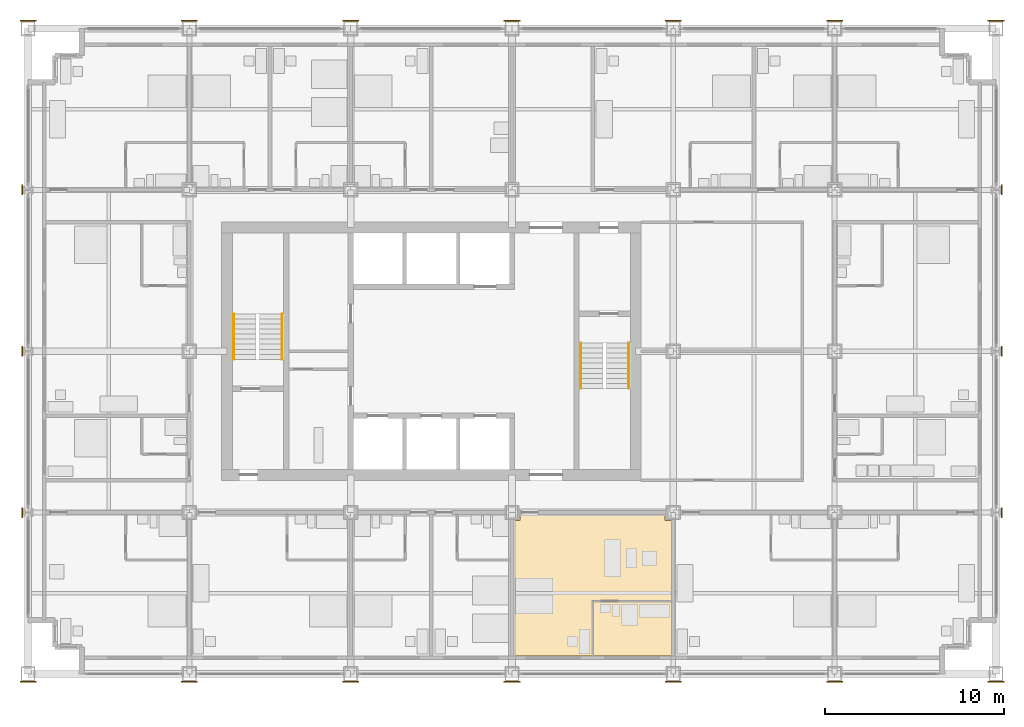
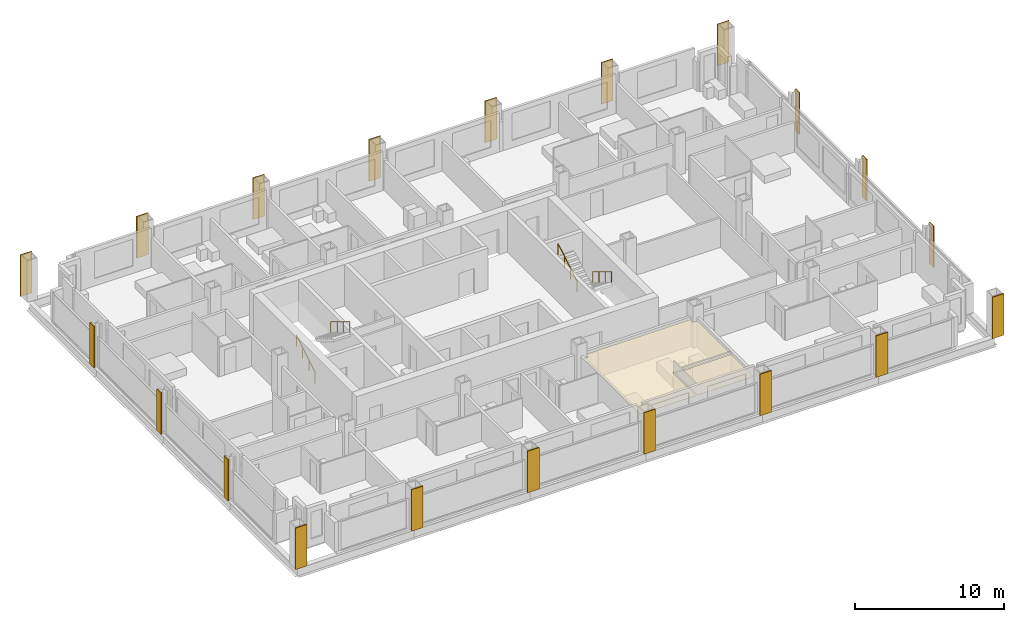
# One storey, part 16 of 18: 22 coverings, 4 railings.
"""IFC4 building model written with IfcOpenShell, lengths in metres."""

import ifcopenshell
import ifcopenshell.guid

model = None  # the IFC model being written
_history = None  # IfcOwnerHistory: only IFC2X3 demands one
_inside = {}  # id of a spatial element -> (the spatial element, [elements in it])
_under = {}  # id of a project, library or spatial element -> (it, [spatial elements below it])
_declared = {}  # id of a project -> (the project, [libraries it declares])
_typed = {}  # id of a type object -> (the type object, [elements of that type])
_made_of = {}  # id of a material, layer set ... -> (it, [elements and type objects made of it])


def new_model(schema):
    """Start an empty IFC model of exactly this schema.

    Asked for "IFC4X3", IfcOpenShell would pick the latest addendum, in which some entities
    have other attributes; the version numbers below select the first issue.
    IFC2X3 requires an IfcOwnerHistory on every rooted entity: one is made here for all.
    """
    global model, _history
    if schema == "IFC4X3":
        model = ifcopenshell.file(schema_version=(4, 3, 0, 0))
    else:
        model = ifcopenshell.file(schema=schema)
    _inside.clear()
    _under.clear()
    _declared.clear()
    _typed.clear()
    _made_of.clear()
    _history = None
    if model.schema == "IFC2X3":
        org = make("IfcOrganization", Name="unknown")
        user = make(
            "IfcPersonAndOrganization",
            ThePerson=make("IfcPerson", FamilyName="unknown"),
            TheOrganization=org,
        )
        app = make(
            "IfcApplication",
            ApplicationDeveloper=org,
            Version="unknown",
            ApplicationFullName="unknown",
            ApplicationIdentifier="unknown",
        )
        _history = make(
            "IfcOwnerHistory",
            OwningUser=user,
            OwningApplication=app,
            ChangeAction="ADDED",
            CreationDate=0,
        )
    return model


def make(cls, **values):
    """One entity of the class cls with the attributes given. An attribute that is None is left unset."""
    return model.create_entity(
        cls, **{name: value for name, value in values.items() if value is not None}
    )


def rooted(cls, **values):
    """An entity with a GlobalId (a new one), such as an element, a storey or a relation."""
    return make(cls, GlobalId=ifcopenshell.guid.new(), OwnerHistory=_history, **values)


def si_unit(unit_type, name, prefix=None):
    """IfcSIUnit, for example si_unit("LENGTHUNIT", "METRE", prefix="MILLI")."""
    return make("IfcSIUnit", UnitType=unit_type, Prefix=prefix, Name=name)


def assignment(units):
    """IfcUnitAssignment: the units of a project."""
    return None if units is None else make("IfcUnitAssignment", Units=units)


def point(xyz):
    """IfcCartesianPoint."""
    return None if xyz is None else make("IfcCartesianPoint", Coordinates=xyz)


def direction(xyz):
    """IfcDirection."""
    return None if xyz is None else make("IfcDirection", DirectionRatios=xyz)


def frame(location, z_axis=None, x_axis=None):
    """IfcAxis2Placement3D, a coordinate frame: its origin and axes. An axis left out is left unset."""
    return make(
        "IfcAxis2Placement3D",
        Location=point(location),
        Axis=direction(z_axis),
        RefDirection=direction(x_axis),
    )


def frame_2d(location, x_axis=None):
    """IfcAxis2Placement2D, a coordinate frame in the plane: its origin and x axis."""
    return make(
        "IfcAxis2Placement2D", Location=point(location), RefDirection=direction(x_axis)
    )


def origin():
    """The frame at (0, 0, 0) with its axes left unset."""
    return frame((0.0, 0.0, 0.0))


def origin_2d():
    """The frame at (0, 0) in the plane with its x axis left unset."""
    return frame_2d((0.0, 0.0))


def place(relative_to, where):
    """IfcLocalPlacement: puts the frame where relative to a parent placement (None: the world)."""
    return make(
        "IfcLocalPlacement", PlacementRelTo=relative_to, RelativePlacement=where
    )


def context(
    kind, dimensions, precision=None, world=None, true_north=None, identifier=None
):
    """IfcGeometricRepresentationContext, for example the 3D "Model" context."""
    return make(
        "IfcGeometricRepresentationContext",
        ContextIdentifier=identifier,
        ContextType=kind,
        CoordinateSpaceDimension=dimensions,
        Precision=precision,
        WorldCoordinateSystem=world,
        TrueNorth=true_north,
    )


def subcontext(parent, identifier, kind, view, scale=None):
    """IfcGeometricRepresentationSubContext, for example "Body" below "Model"."""
    return make(
        "IfcGeometricRepresentationSubContext",
        ContextIdentifier=identifier,
        ContextType=kind,
        ParentContext=parent,
        TargetScale=scale,
        TargetView=view,
    )


def project(units=None, contexts=None):
    """IfcProject with its units and contexts."""
    return rooted(
        "IfcProject",
        Name="project",
        RepresentationContexts=contexts,
        UnitsInContext=assignment(units),
    )


def spatial(cls, under=None, at=None, **own):
    """A site, building, storey or space (cls), placed at a placement, below another one or the project."""
    s = rooted(cls, ObjectPlacement=at, **own)
    if under is not None:
        _under.setdefault(under.id(), (under, []))[1].append(s)
    return s


def polyline(points):
    """IfcPolyline through the points."""
    return make("IfcPolyline", Points=[point(p) for p in points])


def profile(cls, at=None, kind="AREA", **sizes):
    """A parametric profile (cls). Its sizes go by their IFC names, for example OverallWidth=200.0."""
    return make(cls, ProfileType=kind, Position=at, **sizes)


def rectangle(**sizes):
    """IfcRectangleProfileDef."""
    return profile("IfcRectangleProfileDef", **sizes)


def circle(**sizes):
    """IfcCircleProfileDef."""
    return profile("IfcCircleProfileDef", **sizes)


def outline(outer, holes=None, kind="AREA"):
    """IfcArbitraryClosedProfileDef: a profile drawn as a closed curve; with holes, ...WithVoids."""
    if holes is None:
        return make("IfcArbitraryClosedProfileDef", ProfileType=kind, OuterCurve=outer)
    return make(
        "IfcArbitraryProfileDefWithVoids",
        ProfileType=kind,
        OuterCurve=outer,
        InnerCurves=holes,
    )


def extrude(swept, where, along, depth):
    """IfcExtrudedAreaSolid: the profile swept, set in the frame where, extruded along a direction by depth."""
    return make(
        "IfcExtrudedAreaSolid",
        SweptArea=swept,
        Position=where,
        ExtrudedDirection=direction(along),
        Depth=depth,
    )


def shape(context_of_items, identifier, shape_type, items):
    """IfcShapeRepresentation: the items that make up one representation, for example the "Body"."""
    return make(
        "IfcShapeRepresentation",
        ContextOfItems=context_of_items,
        RepresentationIdentifier=identifier,
        RepresentationType=shape_type,
        Items=items,
    )


def material(Name=None, Category=None):
    """IfcMaterial."""
    return make("IfcMaterial", Name=Name, Category=Category)


def layer(
    of_material, thickness, ventilated=None, Name=None, Category=None, Priority=None
):
    """IfcMaterialLayer: one layer of a wall or slab, of a material (None: an air gap)."""
    return make(
        "IfcMaterialLayer",
        Material=of_material,
        LayerThickness=thickness,
        IsVentilated=ventilated,
        Name=Name,
        Category=Category,
        Priority=Priority,
    )


def layer_set(layers, Name=None):
    """IfcMaterialLayerSet."""
    return make("IfcMaterialLayerSet", MaterialLayers=layers, LayerSetName=Name)


def made_of(thing, what):
    """Note that an element or type object is made of a material, layer set ...; save() writes the relation."""
    if what is not None:
        _made_of.setdefault(what.id(), (what, []))[1].append(thing)
    return thing


def type_object(cls, material=None, **own):
    """A type object (cls), such as IfcWallType, which elements share."""
    return made_of(rooted(cls, **own), material)


def element(
    cls,
    number,
    at=None,
    inside=None,
    cuts=None,
    type_object=None,
    material=None,
    context=None,
    identifier="Body",
    shape_type=None,
    held_by="IfcProductDefinitionShape",
    body=None,
    shapes=None,
    **own,
):
    """One element of the class cls, such as IfcWall. Its Tag is "e" and its number.

    at: its placement. inside: the storey or other place that contains it. cuts: it is an
    opening in that element (IfcRelVoidsElement). A single representation is given by context,
    identifier, shape_type and body (its items); several are given by shapes. held_by: the class
    of the entity that holds the representations. save() writes the other relations.
    """
    e = rooted(cls, Tag="e%d" % number, ObjectPlacement=at, **own)
    if body is not None:
        shapes = [shape(context, identifier, shape_type, body)]
    if shapes is not None:
        e.Representation = make(held_by, Representations=shapes)
    if inside is not None:
        _inside.setdefault(inside.id(), (inside, []))[1].append(e)
    if cuts is not None:
        rooted(
            "IfcRelVoidsElement", RelatingBuildingElement=cuts, RelatedOpeningElement=e
        )
    if type_object is not None:
        _typed.setdefault(type_object.id(), (type_object, []))[1].append(e)
    return made_of(e, material)


def aggregate(whole, parts):
    """IfcRelAggregates: a whole, such as a stair, and the parts it consists of."""
    return rooted("IfcRelAggregates", RelatingObject=whole, RelatedObjects=parts)


def save(model, path):
    """Write the relations noted so far, then the file.

    IfcRelAggregates (storeys below a building ...), IfcRelContainedInSpatialStructure (elements
    in a storey), IfcRelDefinesByType, IfcRelAssociatesMaterial and IfcRelDeclares: one each for
    every whole, place, type object, material and project.
    """
    for whole, parts in _under.values():
        aggregate(whole, parts)
    for where, things in _inside.values():
        rooted(
            "IfcRelContainedInSpatialStructure",
            RelatedElements=things,
            RelatingStructure=where,
        )
    for kind, things in _typed.values():
        rooted("IfcRelDefinesByType", RelatedObjects=things, RelatingType=kind)
    for what, things in _made_of.values():
        rooted("IfcRelAssociatesMaterial", RelatedObjects=things, RelatingMaterial=what)
    for by, libraries in _declared.values():
        rooted("IfcRelDeclares", RelatingContext=by, RelatedDefinitions=libraries)
    model.write(path)


model = new_model("IFC4")

# Units and contexts
model_context = context("Model", 3, precision=1e-05, world=origin(), true_north=direction((0.0, 1.0)))
body_context = subcontext(model_context, "Body", "Model", "MODEL_VIEW")
ifc_project = project(units=[si_unit("LENGTHUNIT", "METRE"), si_unit("AREAUNIT", "SQUARE_METRE"), si_unit("VOLUMEUNIT", "CUBIC_METRE"), si_unit("PLANEANGLEUNIT", "RADIAN"), si_unit("MASSUNIT", "GRAM", prefix="KILO")], contexts=[model_context])

# Site, building, storey
site_placement = place(None, origin())
site = spatial("IfcSite", under=ifc_project, at=site_placement, CompositionType="ELEMENT")
building_placement = place(site_placement, origin())
building = spatial("IfcBuilding", under=site, at=building_placement, Name="Loomwork Tower", CompositionType="ELEMENT")
storey_placement = place(building_placement, frame((0.0, 0.0, 65.39990234375)))
storey = spatial("IfcBuildingStorey", under=building, at=storey_placement, Name="L16", CompositionType="ELEMENT", Elevation=65.39990234375)

# Railings
ifc_material_1 = material(Name="Stainless steel handrail", Category="steel")
railing_type = type_object("IfcRailingType", Name="Handrail 900", PredefinedType="HANDRAIL", material=ifc_material_1)
railing_1_placement = place(storey_placement, frame((11.485107421875, 17.550048828125, 0.170166015625)))
element("IfcRailing", 1, at=railing_1_placement, inside=storey, type_object=railing_type, Name="Stair A handrail flight 1 L16", PredefinedType="HANDRAIL", context=body_context, shape_type="SweptSolid", body=[
    extrude(circle(Radius=0.02392578125, at=origin_2d()), frame((0.0, 0.0, 0.8759765625), z_axis=(0.0, 0.85478489116, 0.518982456201), x_axis=(-1.0, 0.0, 0.0)), (0.0, 0.0, 1.0), 2.9482421875),
    extrude(circle(Radius=0.02099609375, at=origin_2d()), origin(), (0.0, 0.0, 1.0), 0.851806640625),
    extrude(circle(Radius=0.02099609375, at=origin_2d()), frame((0.0, 0.840087890625, 0.510009765625)), (0.0, 0.0, 1.0), 0.851806640625),
    extrude(circle(Radius=0.02099609375, at=origin_2d()), frame((0.0, 1.679931640625, 1.02001953125)), (0.0, 0.0, 1.0), 0.851806640625),
    extrude(circle(Radius=0.02099609375, at=origin_2d()), frame((0.0, 2.52001953125, 1.530029296875)), (0.0, 0.0, 1.0), 0.851806640625),
])
for number, where, name in (
    (2, (14.1650390625, 20.070068359375, 1.8701171875), "Stair A handrail flight 2 L16"),
    (3, (33.514892578125, 18.449951171875, 0.170166015625), "Stair B handrail flight 1 L16"),
):
    element("IfcRailing", number, at=place(storey_placement, frame(where)), inside=storey, type_object=railing_type, Name=name, PredefinedType="HANDRAIL", context=body_context, shape_type="SweptSolid", body=[
        extrude(circle(Radius=0.02392578125, at=origin_2d()), frame((0.0, 0.0, 0.8759765625), z_axis=(0.0, -0.85478489116, 0.518982456201), x_axis=(1.0, 0.0, 0.0)), (0.0, 0.0, 1.0), 2.9482421875),
        extrude(circle(Radius=0.02099609375, at=origin_2d()), origin(), (0.0, 0.0, 1.0), 0.851806640625),
        extrude(circle(Radius=0.02099609375, at=origin_2d()), frame((0.0, -0.840087890625, 0.510009765625)), (0.0, 0.0, 1.0), 0.851806640625),
        extrude(circle(Radius=0.02099609375, at=origin_2d()), frame((0.0, -1.679931640625, 1.02001953125)), (0.0, 0.0, 1.0), 0.851806640625),
        extrude(circle(Radius=0.02099609375, at=origin_2d()), frame((0.0, -2.52001953125, 1.530029296875)), (0.0, 0.0, 1.0), 0.851806640625),
    ])
railing_2_placement = place(storey_placement, frame((30.8349609375, 15.929931640625, 1.8701171875)))
element("IfcRailing", 4, at=railing_2_placement, inside=storey, type_object=railing_type, Name="Stair B handrail flight 2 L16", PredefinedType="HANDRAIL", context=body_context, shape_type="SweptSolid", body=[
    extrude(circle(Radius=0.02392578125, at=origin_2d()), frame((0.0, 0.0, 0.8759765625), z_axis=(0.0, 0.85478489116, 0.518982456201), x_axis=(-1.0, 0.0, 0.0)), (0.0, 0.0, 1.0), 2.9482421875),
    extrude(circle(Radius=0.02099609375, at=origin_2d()), origin(), (0.0, 0.0, 1.0), 0.851806640625),
    extrude(circle(Radius=0.02099609375, at=origin_2d()), frame((0.0, 0.840087890625, 0.510009765625)), (0.0, 0.0, 1.0), 0.851806640625),
    extrude(circle(Radius=0.02099609375, at=origin_2d()), frame((0.0, 1.679931640625, 1.02001953125)), (0.0, 0.0, 1.0), 0.851806640625),
    extrude(circle(Radius=0.02099609375, at=origin_2d()), frame((0.0, 2.52001953125, 1.530029296875)), (0.0, 0.0, 1.0), 0.851806640625),
])

# Coverings
ifc_material_2 = material(Name="Limestone", Category="masonry")
ifc_layer_1 = layer(ifc_material_2, 0.080078125)
ifc_layer_set_1 = layer_set([ifc_layer_1], Name="Limestone pier facing 80")
covering_type_1 = type_object("IfcCoveringType", Name="Limestone pier facing 80", PredefinedType="CLADDING", material=ifc_layer_set_1)
covering_1_placement = place(storey_placement, frame((0.0, -0.43994140625, 0.000244140625), z_axis=(0.0, 0.0, 1.0), x_axis=(1.0, 0.0, 0.0)))
element("IfcCovering", 5, at=covering_1_placement, inside=storey, type_object=covering_type_1, Name="Pier facing D/2 L16", PredefinedType="CLADDING", context=body_context, shape_type="SweptSolid", body=[
    extrude(rectangle(XDim=0.89990234375, YDim=0.080078125, at=origin_2d()), origin(), (0.0, 0.0, 1.0), 3.39990234375),
])
for number, where, z_axis, x_axis, name in (
    (6, (-0.324462890625, 9.0, 0.000244140625), (0.0, 0.0, 1.0), (1.0, 0.0, 0.0), "Pier facing E/2 L16"),
    (7, (-0.324462890625, 18.0, 0.000244140625), (0.0, 0.0, 1.0), (1.0, 0.0, 0.0), "Pier facing F/2 L16"),
    (8, (-0.324462890625, 27.0, 0.000244140625), (0.0, 0.0, 1.0), (1.0, 0.0, 0.0), "Pier facing G/2 L16"),
):
    element("IfcCovering", number, at=place(storey_placement, frame(where, z_axis=z_axis, x_axis=x_axis)), inside=storey, type_object=covering_type_1, Name=name, PredefinedType="CLADDING", context=body_context, shape_type="SweptSolid", body=[
        extrude(rectangle(XDim=0.080078125, YDim=0.5546875, at=origin_2d()), origin(), (0.0, 0.0, 1.0), 3.39990234375),
    ])
for number, where, z_axis, x_axis, name in (
    (9, (0.0, 36.43994140625, 0.000244140625), (0.0, 0.0, 1.0), (1.0, 0.0, 0.0), "Pier facing H/2 L16"),
    (10, (9.0, -0.43994140625, 0.000244140625), (0.0, 0.0, 1.0), (1.0, 0.0, 0.0), "Pier facing D/3 L16"),
    (11, (9.0, 36.43994140625, 0.000244140625), (0.0, 0.0, 1.0), (1.0, 0.0, 0.0), "Pier facing H/3 L16"),
    (12, (18.0, -0.43994140625, 0.000244140625), (0.0, 0.0, 1.0), (1.0, 0.0, 0.0), "Pier facing D/4 L16"),
    (13, (18.0, 36.43994140625, 0.000244140625), (0.0, 0.0, 1.0), (1.0, 0.0, 0.0), "Pier facing H/4 L16"),
    (14, (27.0, -0.43994140625, 0.000244140625), (0.0, 0.0, 1.0), (1.0, 0.0, 0.0), "Pier facing D/5 L16"),
    (15, (27.0, 36.43994140625, 0.000244140625), (0.0, 0.0, 1.0), (1.0, 0.0, 0.0), "Pier facing H/5 L16"),
    (16, (36.0, -0.43994140625, 0.000244140625), (0.0, 0.0, 1.0), (1.0, 0.0, 0.0), "Pier facing D/6 L16"),
    (17, (36.0, 36.43994140625, 0.000244140625), (0.0, 0.0, 1.0), (1.0, 0.0, 0.0), "Pier facing H/6 L16"),
    (18, (45.0, -0.43994140625, 0.000244140625), (0.0, 0.0, 1.0), (1.0, 0.0, 0.0), "Pier facing D/7 L16"),
    (19, (45.0, 36.43994140625, 0.000244140625), (0.0, 0.0, 1.0), (1.0, 0.0, 0.0), "Pier facing H/7 L16"),
    (20, (54.0, -0.43994140625, 0.000244140625), (0.0, 0.0, 1.0), (1.0, 0.0, 0.0), "Pier facing D/8 L16"),
):
    element("IfcCovering", number, at=place(storey_placement, frame(where, z_axis=z_axis, x_axis=x_axis)), inside=storey, type_object=covering_type_1, Name=name, PredefinedType="CLADDING", context=body_context, shape_type="SweptSolid", body=[
        extrude(rectangle(XDim=0.89990234375, YDim=0.080078125, at=origin_2d()), origin(), (0.0, 0.0, 1.0), 3.39990234375),
    ])
for number, where, z_axis, x_axis, name in (
    (21, (54.324462890625, 9.0, 0.000244140625), (0.0, 0.0, 1.0), (1.0, 0.0, 0.0), "Pier facing E/8 L16"),
    (22, (54.324462890625, 18.0, 0.000244140625), (0.0, 0.0, 1.0), (1.0, 0.0, 0.0), "Pier facing F/8 L16"),
    (23, (54.324462890625, 27.0, 0.000244140625), (0.0, 0.0, 1.0), (1.0, 0.0, 0.0), "Pier facing G/8 L16"),
):
    element("IfcCovering", number, at=place(storey_placement, frame(where, z_axis=z_axis, x_axis=x_axis)), inside=storey, type_object=covering_type_1, Name=name, PredefinedType="CLADDING", context=body_context, shape_type="SweptSolid", body=[
        extrude(rectangle(XDim=0.080078125, YDim=0.5546875, at=origin_2d()), origin(), (0.0, 0.0, 1.0), 3.39990234375),
    ])
covering_2_placement = place(storey_placement, frame((54.0, 36.43994140625, 0.000244140625), z_axis=(0.0, 0.0, 1.0), x_axis=(1.0, 0.0, 0.0)))
element("IfcCovering", 24, at=covering_2_placement, inside=storey, type_object=covering_type_1, Name="Pier facing H/8 L16", PredefinedType="CLADDING", context=body_context, shape_type="SweptSolid", body=[
    extrude(rectangle(XDim=0.89990234375, YDim=0.080078125, at=origin_2d()), origin(), (0.0, 0.0, 1.0), 3.39990234375),
])
ifc_material_3 = material(Name="Mineral fibre acoustic tile on suspension grid")
ifc_layer_2 = layer(ifc_material_3, 0.02490234375)
ifc_layer_set_2 = layer_set([ifc_layer_2], Name="Suspended acoustic ceiling")
covering_type_2 = type_object("IfcCoveringType", Name="Suspended acoustic ceiling", PredefinedType="CEILING", material=ifc_layer_set_2)
covering_3_placement = place(storey_placement, frame((0.0, 0.0, 2.175048828125)))
element("IfcCovering", 25, at=covering_3_placement, inside=storey, type_object=covering_type_2, Name="Ceiling Spa bathroom L16", PredefinedType="CEILING", context=body_context, shape_type="SweptSolid", body=[
    extrude(outline(polyline([(35.89990234375, 4.0), (35.89990234375, 1.0), (31.550048828125, 1.0), (31.550048828125, 4.0), (35.89990234375, 4.0)])), origin(), (0.0, 0.0, 1.0), 0.025146484375),
])
covering_4_placement = place(storey_placement, frame((0.0, 0.0, 2.175048828125)))
element("IfcCovering", 26, at=covering_4_placement, inside=storey, type_object=covering_type_2, Name="Ceiling Spa suite L16", PredefinedType="CEILING", context=body_context, shape_type="SweptSolid", body=[
    extrude(outline(polyline([(35.550048828125, 8.89990234375), (35.550048828125, 8.550048828125), (35.89990234375, 8.550048828125), (35.89990234375, 4.10009765625), (31.449951171875, 4.10009765625), (31.449951171875, 1.0), (27.10009765625, 1.0), (27.10009765625, 8.550048828125), (27.449951171875, 8.550048828125), (27.449951171875, 8.89990234375), (35.550048828125, 8.89990234375)])), origin(), (0.0, 0.0, 1.0), 0.025146484375),
])

save(model, "model.ifc")
